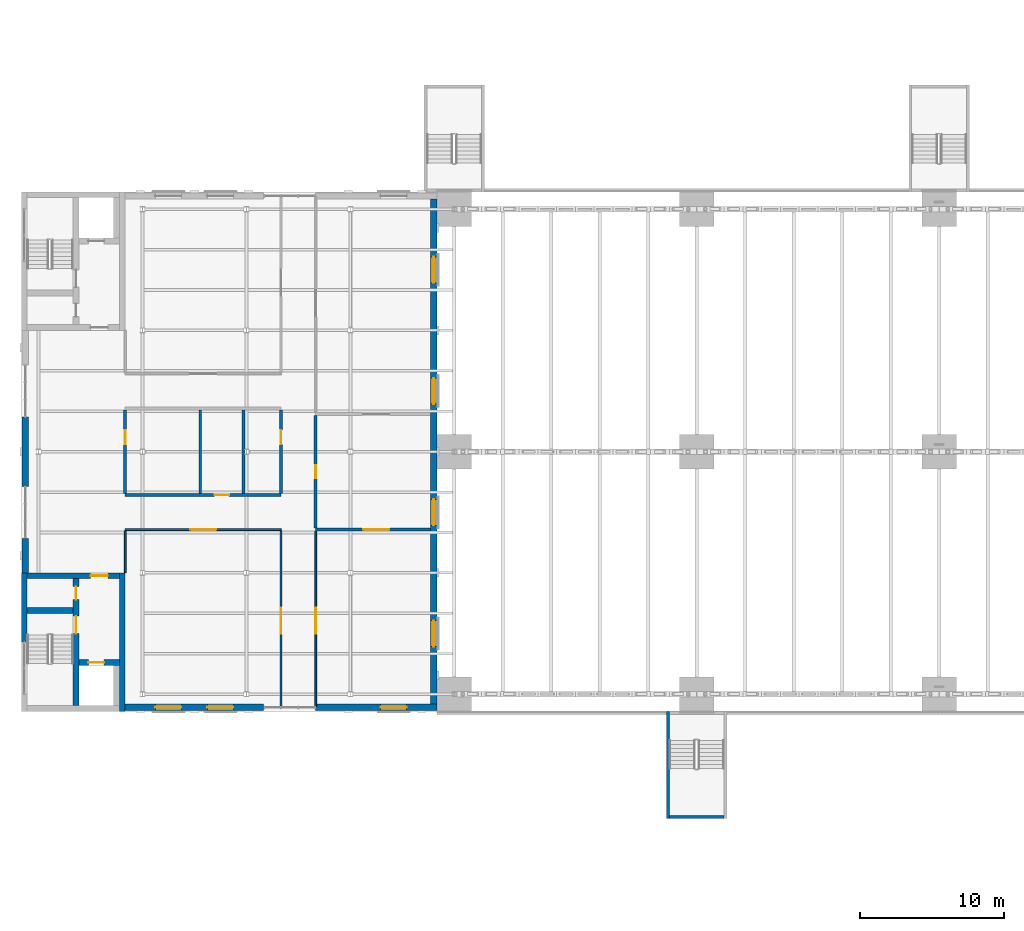
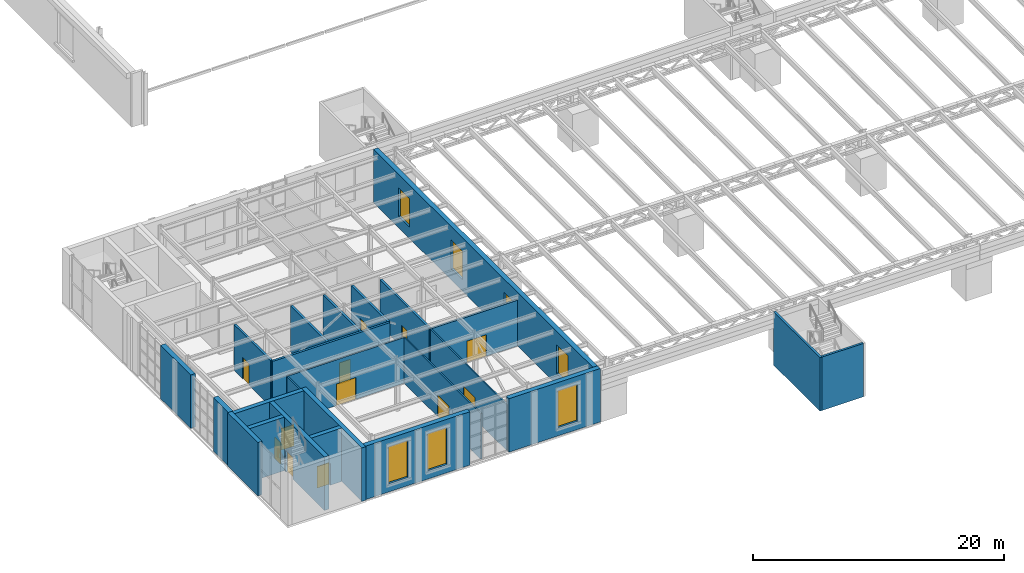
# One storey, part 54 of 93: 24 walls, 12 doors, 7 windows, 19 openings.
"""IFC4 building model written with IfcOpenShell, lengths in metres."""

from ifc_helpers import new_model, si_unit, direction, frame, frame_2d, origin, place, context, subcontext, project, spatial, rectangle, extrude, material, layer, layer_set, type_object, element, fill, save


model = new_model("IFC4")

# Units and contexts
model_context = context("Model", 3, precision=1e-05, world=origin(), true_north=direction((0.0, 1.0)))
body_context = subcontext(model_context, "Body", "Model", "MODEL_VIEW")
ifc_project = project(units=[si_unit("LENGTHUNIT", "METRE"), si_unit("AREAUNIT", "SQUARE_METRE"), si_unit("VOLUMEUNIT", "CUBIC_METRE"), si_unit("PLANEANGLEUNIT", "RADIAN"), si_unit("MASSUNIT", "GRAM", prefix="KILO")], contexts=[model_context])

# Site, building, storey
site_placement = place(None, origin())
site = spatial("IfcSite", under=ifc_project, at=site_placement, CompositionType="ELEMENT")
building_placement = place(site_placement, origin())
building = spatial("IfcBuilding", under=site, at=building_placement, Name="Verrick Yard Athletic Hall", CompositionType="ELEMENT")
storey_placement = place(building_placement, frame((0.0, 0.0, 8.800048828125)))
storey = spatial("IfcBuildingStorey", under=building, at=storey_placement, Name="L02", CompositionType="ELEMENT", Elevation=8.800048828125)

# Wall, openings, doors
ifc_material_1 = material(Name="Concrete 35 MPa", Category="concrete")
ifc_layer_1 = layer(ifc_material_1, 0.39990234375)
ifc_layer_set_1 = layer_set([ifc_layer_1], Name="Core wall CR400")
wall_type_1 = type_object("IfcWallType", Name="Core wall CR400", PredefinedType="SHEAR", material=ifc_layer_set_1)
wall_1_placement = place(storey_placement, frame((13.800048828125, 18.39990234375, 0.0), z_axis=(0.0, 0.0, 1.0), x_axis=(0.0, 1.0, 0.0)))
wall_1 = element("IfcWall", 1, at=wall_1_placement, inside=storey, type_object=wall_type_1, Name="CORE-CB1-WP-L02", PredefinedType="SHEAR", context=body_context, shape_type="SweptSolid", body=[
    extrude(rectangle(XDim=8.800048828125, YDim=0.39990234375, at=frame_2d((4.39990234375, 0.0))), origin(), (0.0, 0.0, 1.0), 5.199951171875),
])
opening_1_placement = place(wall_1_placement, frame((5.0, 0.0, 0.0)))
opening_1 = element("IfcOpeningElement", 2, at=opening_1_placement, cuts=wall_1, Name="Opening SD1", PredefinedType="OPENING", context=body_context, shape_type="SweptSolid", body=[
    extrude(rectangle(XDim=1.199951171875, YDim=2.10009765625, at=frame_2d((0.60009765625, 1.050048828125))), frame((0.0, 0.2099609375, 0.0), z_axis=(0.0, -1.0, 0.0), x_axis=(1.0, 0.0, 0.0)), (0.0, 0.0, 1.0), 0.419921875),
])
opening_2_placement = place(wall_1_placement, frame((7.35009765625, 0.0, 0.0)))
opening_2 = element("IfcOpeningElement", 3, at=opening_2_placement, cuts=wall_1, Name="Opening RD1", PredefinedType="OPENING", context=body_context, shape_type="SweptSolid", body=[
    extrude(rectangle(XDim=0.89990234375, YDim=2.10009765625, at=frame_2d((0.449951171875, 1.050048828125))), frame((0.0, 0.2099609375, 0.0), z_axis=(0.0, -1.0, 0.0), x_axis=(1.0, 0.0, 0.0)), (0.0, 0.0, 1.0), 0.419921875),
])
ifc_material_2 = material(Name="Hollow metal door leaf")
door_type_1 = type_object("IfcDoorType", Name="Core door RD1 900x2100", OperationType="NOTDEFINED", PredefinedType="DOOR", material=ifc_material_2)
door_1_placement = place(opening_2_placement, origin())
door_1 = element("IfcDoor", 4, at=door_1_placement, inside=storey, type_object=door_type_1, Name="CORE-CB1-WP-L02-DRD1-2620", OperationType="SINGLE_SWING_LEFT", OverallHeight=2.10009765625, OverallWidth=0.89990234375, PredefinedType="DOOR", context=body_context, shape_type="SweptSolid", body=[
    extrude(rectangle(XDim=0.89990234375, YDim=2.10009765625, at=frame_2d((0.449951171875, 1.050048828125))), frame((0.0, 0.02490234375, 0.0), z_axis=(0.0, -1.0, 0.0), x_axis=(1.0, 0.0, 0.0)), (0.0, 0.0, 1.0), 0.050048828125),
])
fill(opening_2, door_1)
door_type_2 = type_object("IfcDoorType", Name="Core door SD1 1200x2100", OperationType="NOTDEFINED", PredefinedType="DOOR", material=ifc_material_2)
door_2_placement = place(opening_1_placement, origin())
door_2 = element("IfcDoor", 5, at=door_2_placement, inside=storey, type_object=door_type_2, Name="CORE-CB1-WP-L02-DSD1-2400", OperationType="SINGLE_SWING_LEFT", OverallHeight=2.10009765625, OverallWidth=1.199951171875, PredefinedType="DOOR", context=body_context, shape_type="SweptSolid", body=[
    extrude(rectangle(XDim=1.199951171875, YDim=2.10009765625, at=frame_2d((0.60009765625, 1.050048828125))), frame((0.0, 0.02490234375, 0.0), z_axis=(0.0, -1.0, 0.0), x_axis=(1.0, 0.0, 0.0)), (0.0, 0.0, 1.0), 0.050048828125),
])
fill(opening_1, door_2)

# Wall
wall_2_placement = place(storey_placement, frame((10.39990234375, 25.0, 0.0), z_axis=(0.0, 0.0, 1.0), x_axis=(1.0, 0.0, 0.0)))
element("IfcWall", 6, at=wall_2_placement, inside=storey, type_object=wall_type_1, Name="CORE-CB1-WSN-L02", PredefinedType="SHEAR", context=body_context, shape_type="SweptSolid", body=[
    extrude(rectangle(XDim=3.2001953125, YDim=0.39990234375, at=frame_2d((1.60009765625, 0.0))), origin(), (0.0, 0.0, 1.0), 5.199951171875),
])

# Wall, opening, door
wall_3_placement = place(storey_placement, frame((14.0, 21.39990234375, 0.0), z_axis=(0.0, 0.0, 1.0), x_axis=(1.0, 0.0, 0.0)))
wall_3 = element("IfcWall", 7, at=wall_3_placement, inside=storey, type_object=wall_type_1, Name="CORE-CB1-WLN-L02", PredefinedType="SHEAR", context=body_context, shape_type="SweptSolid", body=[
    extrude(rectangle(XDim=2.800048828125, YDim=0.39990234375, at=frame_2d((1.39990234375, 0.0))), origin(), (0.0, 0.0, 1.0), 5.199951171875),
])
opening_3_placement = place(wall_3_placement, frame((0.64990234375, 0.0, 0.0)))
opening_3 = element("IfcOpeningElement", 8, at=opening_3_placement, cuts=wall_3, Name="Opening LD", PredefinedType="OPENING", context=body_context, shape_type="SweptSolid", body=[
    extrude(rectangle(XDim=1.10009765625, YDim=2.10009765625, at=frame_2d((0.550048828125, 1.050048828125))), frame((0.0, 0.2099609375, 0.0), z_axis=(0.0, -1.0, 0.0), x_axis=(1.0, 0.0, 0.0)), (0.0, 0.0, 1.0), 0.419921875),
])
ifc_material_3 = material(Name="Stainless steel landing door", Category="steel")
door_type_3 = type_object("IfcDoorType", Name="Lift landing door LD 1100x2100", OperationType="NOTDEFINED", PredefinedType="DOOR", material=ifc_material_3)
door_3_placement = place(opening_3_placement, origin())
door_3 = element("IfcDoor", 9, at=door_3_placement, inside=storey, type_object=door_type_3, Name="Lift landing door", OperationType="SLIDING_TO_LEFT", OverallHeight=2.10009765625, OverallWidth=1.10009765625, PredefinedType="DOOR", context=body_context, shape_type="SweptSolid", body=[
    extrude(rectangle(XDim=1.10009765625, YDim=2.10009765625, at=frame_2d((0.550048828125, 1.050048828125))), frame((0.0, 0.02490234375, 0.0), z_axis=(0.0, -1.0, 0.0), x_axis=(1.0, 0.0, 0.0)), (0.0, 0.0, 1.0), 0.050048828125),
])
fill(opening_3, door_3)

# Walls
ifc_layer_2 = layer(ifc_material_1, 0.39990234375)
ifc_layer_set_2 = layer_set([ifc_layer_2], Name="External core wall CR400")
wall_type_2 = type_object("IfcWallType", Name="External core wall CR400", PredefinedType="SHEAR", material=ifc_layer_set_2)
wall_4_placement = place(storey_placement, frame((10.199951171875, 22.800048828125, 0.0), z_axis=(0.0, 0.0, 1.0), x_axis=(0.0, 1.0, 0.0)))
element("IfcWall", 10, at=wall_4_placement, inside=storey, type_object=wall_type_2, Name="CORE-CB1-WW-L02-1", PredefinedType="SHEAR", context=body_context, shape_type="SweptSolid", body=[
    extrude(rectangle(XDim=4.800048828125, YDim=0.39990234375, at=frame_2d((2.39990234375, 0.0))), origin(), (0.0, 0.0, 1.0), 5.199951171875),
])
wall_5_placement = place(storey_placement, frame((17.0, 18.0, 0.0), z_axis=(0.0, 0.0, 1.0), x_axis=(0.0, 1.0, 0.0)))
element("IfcWall", 11, at=wall_5_placement, inside=storey, type_object=wall_type_2, Name="CORE-CB1-WE-L02", PredefinedType="SHEAR", context=body_context, shape_type="SweptSolid", body=[
    extrude(rectangle(XDim=9.60009765625, YDim=0.39990234375, at=frame_2d((4.800048828125, 0.0))), origin(), (0.0, 0.0, 1.0), 5.199951171875),
])

# Wall, opening, door
wall_6_placement = place(storey_placement, frame((10.39990234375, 27.39990234375, 0.0), z_axis=(0.0, 0.0, 1.0), x_axis=(1.0, 0.0, 0.0)))
wall_6 = element("IfcWall", 12, at=wall_6_placement, inside=storey, type_object=wall_type_2, Name="CORE-CB1-WN-L02", PredefinedType="SHEAR", context=body_context, shape_type="SweptSolid", body=[
    extrude(rectangle(XDim=6.400146484375, YDim=0.39990234375, at=frame_2d((3.2001953125, 0.0))), origin(), (0.0, 0.0, 1.0), 5.199951171875),
])
opening_4_placement = place(wall_6_placement, frame((4.39990234375, 0.0, 0.0)))
opening_4 = element("IfcOpeningElement", 13, at=opening_4_placement, cuts=wall_6, Name="Opening LB1", PredefinedType="OPENING", context=body_context, shape_type="SweptSolid", body=[
    extrude(rectangle(XDim=1.199951171875, YDim=2.10009765625, at=frame_2d((0.60009765625, 1.050048828125))), frame((0.0, 0.2099609375, 0.0), z_axis=(0.0, -1.0, 0.0), x_axis=(1.0, 0.0, 0.0)), (0.0, 0.0, 1.0), 0.419921875),
])
door_type_4 = type_object("IfcDoorType", Name="Core door LB1 1200x2100", OperationType="NOTDEFINED", PredefinedType="DOOR", material=ifc_material_2)
door_4_placement = place(opening_4_placement, origin())
door_4 = element("IfcDoor", 14, at=door_4_placement, inside=storey, type_object=door_type_4, Name="CORE-CB1-WN-L02-DLB1-1540", OperationType="SINGLE_SWING_LEFT", OverallHeight=2.10009765625, OverallWidth=1.199951171875, PredefinedType="DOOR", context=body_context, shape_type="SweptSolid", body=[
    extrude(rectangle(XDim=1.199951171875, YDim=2.10009765625, at=frame_2d((0.60009765625, 1.050048828125))), frame((0.0, 0.02490234375, 0.0), z_axis=(0.0, -1.0, 0.0), x_axis=(1.0, 0.0, 0.0)), (0.0, 0.0, 1.0), 0.050048828125),
])
fill(opening_4, door_4)

# Walls
ifc_layer_3 = layer(ifc_material_1, 0.199951171875)
ifc_layer_set_3 = layer_set([ifc_layer_3], Name="External enclosure wall CR200")
wall_type_3 = type_object("IfcWallType", Name="External enclosure wall CR200", PredefinedType="SOLIDWALL", material=ifc_layer_set_3)
wall_7_placement = place(storey_placement, frame((54.800048828125, 10.60009765625, 0.0), z_axis=(0.0, 0.0, 1.0), x_axis=(0.0, 1.0, 0.0)))
element("IfcWall", 15, at=wall_7_placement, inside=storey, type_object=wall_type_3, Name="CORE-DT-S1-WW-L02", PredefinedType="SOLIDWALL", context=body_context, shape_type="SweptSolid", body=[
    extrude(rectangle(XDim=7.39990234375, YDim=0.199951171875, at=frame_2d((3.699951171875, 0.0))), origin(), (0.0, 0.0, 1.0), 5.199951171875),
])
wall_8_placement = place(storey_placement, frame((54.89990234375, 10.699951171875, 0.0), z_axis=(0.0, 0.0, 1.0), x_axis=(1.0, 0.0, 0.0)))
element("IfcWall", 16, at=wall_8_placement, inside=storey, type_object=wall_type_3, Name="CORE-DT-S1-WS-L02", PredefinedType="SOLIDWALL", context=body_context, shape_type="SweptSolid", body=[
    extrude(rectangle(XDim=3.800048828125, YDim=0.199951171875, at=frame_2d((1.89990234375, 0.0))), origin(), (0.0, 0.0, 1.0), 5.199951171875),
])

# Wall, opening, door
ifc_material_4 = material(Name="Concrete masonry block 15 MPa", Category="masonry")
ifc_layer_4 = layer(ifc_material_4, 0.199951171875)
ifc_layer_set_4 = layer_set([ifc_layer_4], Name="PW1 Block partition 200")
wall_type_4 = type_object("IfcWallType", Name="PW1 Block partition 200", PredefinedType="PARTITIONING", material=ifc_layer_set_4)
wall_9_placement = place(storey_placement, frame((30.39990234375, 30.60009765625, 0.0), z_axis=(0.0, 0.0, 1.0), x_axis=(1.0, 0.0, 0.0)))
wall_9 = element("IfcWall", 17, at=wall_9_placement, inside=storey, type_object=wall_type_4, Name="Partition PW1", PredefinedType="PARTITIONING", context=body_context, shape_type="SweptSolid", body=[
    extrude(rectangle(XDim=7.97265625, YDim=0.199951171875, at=frame_2d((3.986328125, 0.0))), origin(), (0.0, 0.0, 1.0), 4.449951171875),
])
opening_5_placement = place(wall_9_placement, frame((3.300048828125, 0.0, 0.0)))
opening_5 = element("IfcOpeningElement", 18, at=opening_5_placement, cuts=wall_9, Name="Opening D3", PredefinedType="OPENING", context=body_context, shape_type="SweptSolid", body=[
    extrude(rectangle(XDim=1.800048828125, YDim=2.10009765625, at=frame_2d((0.89990234375, 1.050048828125))), frame((0.0, 0.10986328125, 0.0), z_axis=(0.0, -1.0, 0.0), x_axis=(1.0, 0.0, 0.0)), (0.0, 0.0, 1.0), 0.219970703125),
])
ifc_material_5 = material(Name="Timber door leaf in steel frame", Category="steel")
door_type_5 = type_object("IfcDoorType", Name="D3 Double door 1800 x 2100", OperationType="NOTDEFINED", PredefinedType="DOOR", material=ifc_material_5)
door_5_placement = place(opening_5_placement, origin())
door_5 = element("IfcDoor", 19, at=door_5_placement, inside=storey, type_object=door_type_5, Name="D3 Fitness Studio", OperationType="DOUBLE_DOOR_SINGLE_SWING", OverallHeight=2.10009765625, OverallWidth=1.800048828125, PredefinedType="DOOR", context=body_context, shape_type="SweptSolid", body=[
    extrude(rectangle(XDim=1.800048828125, YDim=2.10009765625, at=frame_2d((0.89990234375, 1.050048828125))), frame((0.0, 0.02490234375, 0.0), z_axis=(0.0, -1.0, 0.0), x_axis=(1.0, 0.0, 0.0)), (0.0, 0.0, 1.0), 0.050048828125),
])
fill(opening_5, door_5)

wall_10_placement = place(storey_placement, frame((17.199951171875, 33.0, 0.0), z_axis=(0.0, 0.0, 1.0), x_axis=(1.0, 0.0, 0.0)))
wall_10 = element("IfcWall", 20, at=wall_10_placement, inside=storey, type_object=wall_type_4, Name="Partition PW1", PredefinedType="PARTITIONING", context=body_context, shape_type="SweptSolid", body=[
    extrude(rectangle(XDim=10.800048828125, YDim=0.199951171875, at=frame_2d((5.39990234375, 0.0))), origin(), (0.0, 0.0, 1.0), 4.449951171875),
])
opening_6_placement = place(wall_10_placement, frame((6.199951171875, 0.0, 0.0)))
opening_6 = element("IfcOpeningElement", 21, at=opening_6_placement, cuts=wall_10, Name="Opening D1", PredefinedType="OPENING", context=body_context, shape_type="SweptSolid", body=[
    extrude(rectangle(XDim=1.0, YDim=2.10009765625, at=frame_2d((0.5, 1.050048828125))), frame((0.0, 0.10986328125, 0.0), z_axis=(0.0, -1.0, 0.0), x_axis=(1.0, 0.0, 0.0)), (0.0, 0.0, 1.0), 0.219970703125),
])
door_type_6 = type_object("IfcDoorType", Name="D1 Single door 1000 x 2100", OperationType="NOTDEFINED", PredefinedType="DOOR", material=ifc_material_5)
door_6_placement = place(opening_6_placement, origin())
door_6 = element("IfcDoor", 22, at=door_6_placement, inside=storey, type_object=door_type_6, Name="D1 Accessible WC", OperationType="SINGLE_SWING_LEFT", OverallHeight=2.10009765625, OverallWidth=1.0, PredefinedType="DOOR", context=body_context, shape_type="SweptSolid", body=[
    extrude(rectangle(XDim=1.0, YDim=2.10009765625, at=frame_2d((0.5, 1.050048828125))), frame((0.0, 0.02490234375, 0.0), z_axis=(0.0, -1.0, 0.0), x_axis=(1.0, 0.0, 0.0)), (0.0, 0.0, 1.0), 0.050048828125),
])
fill(opening_6, door_6)

wall_11_placement = place(storey_placement, frame((17.199951171875, 33.10009765625, 0.0), z_axis=(0.0, 0.0, 1.0), x_axis=(0.0, 1.0, 0.0)))
wall_11 = element("IfcWall", 23, at=wall_11_placement, inside=storey, type_object=wall_type_4, Name="Partition PW1", PredefinedType="PARTITIONING", context=body_context, shape_type="SweptSolid", body=[
    extrude(rectangle(XDim=5.7998046875, YDim=0.199951171875, at=frame_2d((2.89990234375, 0.0))), origin(), (0.0, 0.0, 1.0), 4.449951171875),
])
opening_7_placement = place(wall_11_placement, frame((3.39990234375, 0.0, 0.0)))
opening_7 = element("IfcOpeningElement", 24, at=opening_7_placement, cuts=wall_11, Name="Opening D1", PredefinedType="OPENING", context=body_context, shape_type="SweptSolid", body=[
    extrude(rectangle(XDim=1.0, YDim=2.10009765625, at=frame_2d((0.5, 1.050048828125))), frame((0.0, 0.10986328125, 0.0), z_axis=(0.0, -1.0, 0.0), x_axis=(1.0, 0.0, 0.0)), (0.0, 0.0, 1.0), 0.219970703125),
])
door_7_placement = place(opening_7_placement, origin())
door_7 = element("IfcDoor", 25, at=door_7_placement, inside=storey, type_object=door_type_6, Name="D1 WC Women", OperationType="SINGLE_SWING_RIGHT", OverallHeight=2.10009765625, OverallWidth=1.0, PredefinedType="DOOR", context=body_context, shape_type="SweptSolid", body=[
    extrude(rectangle(XDim=1.0, YDim=2.10009765625, at=frame_2d((0.5, 1.050048828125))), frame((0.0, 0.02490234375, 0.0), z_axis=(0.0, -1.0, 0.0), x_axis=(1.0, 0.0, 0.0)), (0.0, 0.0, 1.0), 0.050048828125),
])
fill(opening_7, door_7)

# Walls
for number, where, z_axis, x_axis, name in (
    (26, (22.39990234375, 33.10009765625, 0.0), (0.0, 0.0, 1.0), (0.0, 1.0, 0.0), "Partition PW1"),
    (27, (25.39990234375, 33.10009765625, 0.0), (0.0, 0.0, 1.0), (0.0, 1.0, 0.0), "Partition PW1"),
):
    element("IfcWall", number, at=place(storey_placement, frame(where, z_axis=z_axis, x_axis=x_axis)), inside=storey, type_object=wall_type_4, Name=name, PredefinedType="PARTITIONING", context=body_context, shape_type="SweptSolid", body=[
        extrude(rectangle(XDim=5.7998046875, YDim=0.199951171875, at=frame_2d((2.89990234375, 0.0))), origin(), (0.0, 0.0, 1.0), 4.449951171875),
    ])

# Wall, opening, door
wall_12_placement = place(storey_placement, frame((28.0, 33.10009765625, 0.0), z_axis=(0.0, 0.0, 1.0), x_axis=(0.0, 1.0, 0.0)))
wall_12 = element("IfcWall", 28, at=wall_12_placement, inside=storey, type_object=wall_type_4, Name="Partition PW1", PredefinedType="PARTITIONING", context=body_context, shape_type="SweptSolid", body=[
    extrude(rectangle(XDim=5.7998046875, YDim=0.199951171875, at=frame_2d((2.89990234375, 0.0))), origin(), (0.0, 0.0, 1.0), 4.449951171875),
])
opening_8_placement = place(wall_12_placement, frame((3.39990234375, 0.0, 0.0)))
opening_8 = element("IfcOpeningElement", 29, at=opening_8_placement, cuts=wall_12, Name="Opening D1", PredefinedType="OPENING", context=body_context, shape_type="SweptSolid", body=[
    extrude(rectangle(XDim=1.0, YDim=2.10009765625, at=frame_2d((0.5, 1.050048828125))), frame((0.0, 0.10986328125, 0.0), z_axis=(0.0, -1.0, 0.0), x_axis=(1.0, 0.0, 0.0)), (0.0, 0.0, 1.0), 0.219970703125),
])
door_8_placement = place(opening_8_placement, origin())
door_8 = element("IfcDoor", 30, at=door_8_placement, inside=storey, type_object=door_type_6, Name="D1 WC Men", OperationType="SINGLE_SWING_RIGHT", OverallHeight=2.10009765625, OverallWidth=1.0, PredefinedType="DOOR", context=body_context, shape_type="SweptSolid", body=[
    extrude(rectangle(XDim=1.0, YDim=2.10009765625, at=frame_2d((0.5, 1.050048828125))), frame((0.0, 0.02490234375, 0.0), z_axis=(0.0, -1.0, 0.0), x_axis=(1.0, 0.0, 0.0)), (0.0, 0.0, 1.0), 0.050048828125),
])
fill(opening_8, door_8)

wall_13_placement = place(storey_placement, frame((30.39990234375, 30.699951171875, 0.0), z_axis=(0.0, 0.0, 1.0), x_axis=(0.0, 1.0, 0.0)))
wall_13 = element("IfcWall", 31, at=wall_13_placement, inside=storey, type_object=wall_type_4, Name="Partition PW1", PredefinedType="PARTITIONING", context=body_context, shape_type="SweptSolid", body=[
    extrude(rectangle(XDim=7.800048828125, YDim=0.199951171875, at=frame_2d((3.89990234375, 0.0))), origin(), (0.0, 0.0, 1.0), 4.449951171875),
])
opening_9_placement = place(wall_13_placement, frame((3.449951171875, 0.0, 0.0)))
opening_9 = element("IfcOpeningElement", 32, at=opening_9_placement, cuts=wall_13, Name="Opening D2", PredefinedType="OPENING", context=body_context, shape_type="SweptSolid", body=[
    extrude(rectangle(XDim=0.89990234375, YDim=2.10009765625, at=frame_2d((0.449951171875, 1.050048828125))), frame((0.0, 0.10986328125, 0.0), z_axis=(0.0, -1.0, 0.0), x_axis=(1.0, 0.0, 0.0)), (0.0, 0.0, 1.0), 0.219970703125),
])
door_type_7 = type_object("IfcDoorType", Name="D2 Single door 900 x 2100", OperationType="NOTDEFINED", PredefinedType="DOOR", material=ifc_material_5)
door_9_placement = place(opening_9_placement, origin())
door_9 = element("IfcDoor", 33, at=door_9_placement, inside=storey, type_object=door_type_7, Name="D2 Mat Store", OperationType="SINGLE_SWING_LEFT", OverallHeight=2.10009765625, OverallWidth=0.89990234375, PredefinedType="DOOR", context=body_context, shape_type="SweptSolid", body=[
    extrude(rectangle(XDim=0.89990234375, YDim=2.10009765625, at=frame_2d((0.449951171875, 1.050048828125))), frame((0.0, 0.02490234375, 0.0), z_axis=(0.0, -1.0, 0.0), x_axis=(1.0, 0.0, 0.0)), (0.0, 0.0, 1.0), 0.050048828125),
])
fill(opening_9, door_9)

ifc_material_6 = material(Name="Gypsum plasterboard on light-gauge studs")
ifc_layer_5 = layer(ifc_material_6, 0.125)
ifc_layer_set_5 = layer_set([ifc_layer_5], Name="PW2 Stud partition 125")
wall_type_5 = type_object("IfcWallType", Name="PW2 Stud partition 125", PredefinedType="PARTITIONING", material=ifc_layer_set_5)
wall_14_placement = place(storey_placement, frame((17.199951171875, 30.60009765625, 0.0), z_axis=(0.0, 0.0, 1.0), x_axis=(1.0, 0.0, 0.0)))
wall_14 = element("IfcWall", 34, at=wall_14_placement, inside=storey, type_object=wall_type_5, Name="Partition PW2", PredefinedType="PARTITIONING", context=body_context, shape_type="SweptSolid", body=[
    extrude(rectangle(XDim=10.800048828125, YDim=0.125, at=frame_2d((5.39990234375, 0.0))), origin(), (0.0, 0.0, 1.0), 4.449951171875),
])
opening_10_placement = place(wall_14_placement, frame((4.5, 0.0, 0.0)))
opening_10 = element("IfcOpeningElement", 35, at=opening_10_placement, cuts=wall_14, Name="Opening D3", PredefinedType="OPENING", context=body_context, shape_type="SweptSolid", body=[
    extrude(rectangle(XDim=1.800048828125, YDim=2.10009765625, at=frame_2d((0.89990234375, 1.050048828125))), frame((0.0, 0.072509765625, 0.0), z_axis=(0.0, -1.0, 0.0), x_axis=(1.0, 0.0, 0.0)), (0.0, 0.0, 1.0), 0.14501953125),
])
door_10_placement = place(opening_10_placement, origin())
door_10 = element("IfcDoor", 36, at=door_10_placement, inside=storey, type_object=door_type_5, Name="D3 Dance Studio 1", OperationType="DOUBLE_DOOR_SINGLE_SWING", OverallHeight=2.10009765625, OverallWidth=1.800048828125, PredefinedType="DOOR", context=body_context, shape_type="SweptSolid", body=[
    extrude(rectangle(XDim=1.800048828125, YDim=2.10009765625, at=frame_2d((0.89990234375, 1.050048828125))), frame((0.0, 0.02490234375, 0.0), z_axis=(0.0, -1.0, 0.0), x_axis=(1.0, 0.0, 0.0)), (0.0, 0.0, 1.0), 0.050048828125),
])
fill(opening_10, door_10)

# Wall
wall_15_placement = place(storey_placement, frame((17.199951171875, 27.60009765625, 0.0), z_axis=(0.0, 0.0, 1.0), x_axis=(0.0, 1.0, 0.0)))
element("IfcWall", 37, at=wall_15_placement, inside=storey, type_object=wall_type_5, Name="Partition PW2", PredefinedType="PARTITIONING", context=body_context, shape_type="SweptSolid", body=[
    extrude(rectangle(XDim=2.9375, YDim=0.125, at=frame_2d((1.46875, 0.0))), origin(), (0.0, 0.0, 1.0), 4.449951171875),
])

# Wall, opening, door
wall_16_placement = place(storey_placement, frame((28.0, 18.351318359375, 0.0), z_axis=(0.0, 0.0, 1.0), x_axis=(0.0, 1.0, 0.0)))
wall_16 = element("IfcWall", 38, at=wall_16_placement, inside=storey, type_object=wall_type_5, Name="Partition PW2", PredefinedType="PARTITIONING", context=body_context, shape_type="SweptSolid", body=[
    extrude(rectangle(XDim=12.186279296875, YDim=0.125, at=frame_2d((6.09326171875, 0.0))), origin(), (0.0, 0.0, 1.0), 4.449951171875),
])
opening_11_placement = place(wall_16_placement, frame((5.049072265625, 0.0, 0.0)))
opening_11 = element("IfcOpeningElement", 39, at=opening_11_placement, cuts=wall_16, Name="Opening D3", PredefinedType="OPENING", context=body_context, shape_type="SweptSolid", body=[
    extrude(rectangle(XDim=1.800048828125, YDim=2.10009765625, at=frame_2d((0.89990234375, 1.050048828125))), frame((0.0, 0.072509765625, 0.0), z_axis=(0.0, -1.0, 0.0), x_axis=(1.0, 0.0, 0.0)), (0.0, 0.0, 1.0), 0.14501953125),
])
door_11_placement = place(opening_11_placement, origin())
door_11 = element("IfcDoor", 40, at=door_11_placement, inside=storey, type_object=door_type_5, Name="D3 Dance Studio 1", OperationType="DOUBLE_DOOR_SINGLE_SWING", OverallHeight=2.10009765625, OverallWidth=1.800048828125, PredefinedType="DOOR", context=body_context, shape_type="SweptSolid", body=[
    extrude(rectangle(XDim=1.800048828125, YDim=2.10009765625, at=frame_2d((0.89990234375, 1.050048828125))), frame((0.0, 0.02490234375, 0.0), z_axis=(0.0, -1.0, 0.0), x_axis=(1.0, 0.0, 0.0)), (0.0, 0.0, 1.0), 0.050048828125),
])
fill(opening_11, door_11)

wall_17_placement = place(storey_placement, frame((30.39990234375, 18.351318359375, 0.0), z_axis=(0.0, 0.0, 1.0), x_axis=(0.0, 1.0, 0.0)))
wall_17 = element("IfcWall", 41, at=wall_17_placement, inside=storey, type_object=wall_type_5, Name="Partition PW2", PredefinedType="PARTITIONING", context=body_context, shape_type="SweptSolid", body=[
    extrude(rectangle(XDim=12.148681640625, YDim=0.125, at=frame_2d((6.07421875, 0.0))), origin(), (0.0, 0.0, 1.0), 4.449951171875),
])
opening_12_placement = place(wall_17_placement, frame((5.049072265625, 0.0, 0.0)))
opening_12 = element("IfcOpeningElement", 42, at=opening_12_placement, cuts=wall_17, Name="Opening D3", PredefinedType="OPENING", context=body_context, shape_type="SweptSolid", body=[
    extrude(rectangle(XDim=1.800048828125, YDim=2.10009765625, at=frame_2d((0.89990234375, 1.050048828125))), frame((0.0, 0.072509765625, 0.0), z_axis=(0.0, -1.0, 0.0), x_axis=(1.0, 0.0, 0.0)), (0.0, 0.0, 1.0), 0.14501953125),
])
door_12_placement = place(opening_12_placement, origin())
door_12 = element("IfcDoor", 43, at=door_12_placement, inside=storey, type_object=door_type_5, Name="D3 Fitness Studio", OperationType="DOUBLE_DOOR_SINGLE_SWING", OverallHeight=2.10009765625, OverallWidth=1.800048828125, PredefinedType="DOOR", context=body_context, shape_type="SweptSolid", body=[
    extrude(rectangle(XDim=1.800048828125, YDim=2.10009765625, at=frame_2d((0.89990234375, 1.050048828125))), frame((0.0, 0.02490234375, 0.0), z_axis=(0.0, -1.0, 0.0), x_axis=(1.0, 0.0, 0.0)), (0.0, 0.0, 1.0), 0.050048828125),
])
fill(opening_12, door_12)

# Wall, openings, windows
ifc_material_7 = material(Name="Clay face brick, red-brown", Category="masonry")
ifc_layer_6 = layer(ifc_material_7, 0.0625, Name="Clay face brick, red-brown")
ifc_material_8 = material(Name="Mineral wool insulation")
ifc_layer_7 = layer(ifc_material_8, 0.125, Name="Mineral wool insulation")
ifc_layer_8 = layer(ifc_material_1, 0.25, Name="Concrete 35 MPa")
ifc_layer_set_6 = layer_set([ifc_layer_6, ifc_layer_7, ifc_layer_8], Name="Wing upper wall")
wall_type_6 = type_object("IfcWallType", Name="Wing upper wall", PredefinedType="SOLIDWALL", material=ifc_layer_set_6)
wall_18_placement = place(storey_placement, frame((17.199951171875, 18.28125, 0.0), z_axis=(0.0, 0.0, 1.0), x_axis=(1.0, 0.0, 0.0)))
wall_18 = element("IfcWall", 44, at=wall_18_placement, inside=storey, type_object=wall_type_6, Name="ENVB-WS-L02-1", PredefinedType="SOLIDWALL", context=body_context, shape_type="SweptSolid", body=[
    extrude(rectangle(XDim=9.60009765625, YDim=0.4375, at=frame_2d((4.800048828125, 0.0))), origin(), (0.0, 0.0, 1.0), 5.199951171875),
])
opening_13_placement = place(wall_18_placement, frame((2.10009765625, 0.0, 0.800048828125)))
opening_13 = element("IfcOpeningElement", 45, at=opening_13_placement, cuts=wall_18, Name="Opening W23", PredefinedType="OPENING", context=body_context, shape_type="SweptSolid", body=[
    extrude(rectangle(XDim=1.800048828125, YDim=3.60009765625, at=frame_2d((0.89990234375, 1.800048828125))), frame((0.0, 0.228759765625, 0.0), z_axis=(0.0, -1.0, 0.0), x_axis=(1.0, 0.0, 0.0)), (0.0, 0.0, 1.0), 0.45751953125),
])
opening_14_placement = place(wall_18_placement, frame((5.699951171875, 0.0, 0.800048828125)))
opening_14 = element("IfcOpeningElement", 46, at=opening_14_placement, cuts=wall_18, Name="Opening W23", PredefinedType="OPENING", context=body_context, shape_type="SweptSolid", body=[
    extrude(rectangle(XDim=1.800048828125, YDim=3.60009765625, at=frame_2d((0.89990234375, 1.800048828125))), frame((0.0, 0.228759765625, 0.0), z_axis=(0.0, -1.0, 0.0), x_axis=(1.0, 0.0, 0.0)), (0.0, 0.0, 1.0), 0.45751953125),
])
ifc_material_9 = material(Name="Anodised aluminium frame with insulated glazing", Category="aluminium")
window_type_1 = type_object("IfcWindowType", Name="Wing window 1800x3600", PartitioningType="NOTDEFINED", PredefinedType="WINDOW", material=ifc_material_9)
window_1_placement = place(opening_13_placement, origin())
window_1 = element("IfcWindow", 47, at=window_1_placement, inside=storey, type_object=window_type_1, Name="ENVB-WS-L02-1-W202", OverallHeight=3.60009765625, OverallWidth=1.800048828125, PartitioningType="SINGLE_PANEL", PredefinedType="WINDOW", context=body_context, shape_type="SweptSolid", body=[
    extrude(rectangle(XDim=1.800048828125, YDim=3.60009765625, at=frame_2d((0.89990234375, 1.800048828125))), frame((0.0, 0.030029296875, 0.0), z_axis=(0.0, -1.0, 0.0), x_axis=(1.0, 0.0, 0.0)), (0.0, 0.0, 1.0), 0.06005859375),
])
fill(opening_13, window_1)
window_2_placement = place(opening_14_placement, origin())
window_2 = element("IfcWindow", 48, at=window_2_placement, inside=storey, type_object=window_type_1, Name="ENVB-WS-L02-1-W238", OverallHeight=3.60009765625, OverallWidth=1.800048828125, PartitioningType="SINGLE_PANEL", PredefinedType="WINDOW", context=body_context, shape_type="SweptSolid", body=[
    extrude(rectangle(XDim=1.800048828125, YDim=3.60009765625, at=frame_2d((0.89990234375, 1.800048828125))), frame((0.0, 0.030029296875, 0.0), z_axis=(0.0, -1.0, 0.0), x_axis=(1.0, 0.0, 0.0)), (0.0, 0.0, 1.0), 0.06005859375),
])
fill(opening_14, window_2)

# Wall, opening, window
wall_19_placement = place(storey_placement, frame((30.39990234375, 18.28125, 0.0), z_axis=(0.0, 0.0, 1.0), x_axis=(1.0, 0.0, 0.0)))
wall_19 = element("IfcWall", 49, at=wall_19_placement, inside=storey, type_object=wall_type_6, Name="ENVB-WS-L02-2", PredefinedType="SOLIDWALL", context=body_context, shape_type="SweptSolid", body=[
    extrude(rectangle(XDim=8.400146484375, YDim=0.4375, at=frame_2d((4.2001953125, 0.0))), origin(), (0.0, 0.0, 1.0), 5.199951171875),
])
opening_15_placement = place(wall_19_placement, frame((4.5, 0.0, 0.800048828125)))
opening_15 = element("IfcOpeningElement", 50, at=opening_15_placement, cuts=wall_19, Name="Opening W23", PredefinedType="OPENING", context=body_context, shape_type="SweptSolid", body=[
    extrude(rectangle(XDim=1.800048828125, YDim=3.60009765625, at=frame_2d((0.89990234375, 1.800048828125))), frame((0.0, 0.228759765625, 0.0), z_axis=(0.0, -1.0, 0.0), x_axis=(1.0, 0.0, 0.0)), (0.0, 0.0, 1.0), 0.45751953125),
])
window_3_placement = place(opening_15_placement, origin())
window_3 = element("IfcWindow", 51, at=window_3_placement, inside=storey, type_object=window_type_1, Name="ENVB-WS-L02-2-W358", OverallHeight=3.60009765625, OverallWidth=1.800048828125, PartitioningType="SINGLE_PANEL", PredefinedType="WINDOW", context=body_context, shape_type="SweptSolid", body=[
    extrude(rectangle(XDim=1.800048828125, YDim=3.60009765625, at=frame_2d((0.89990234375, 1.800048828125))), frame((0.0, 0.030029296875, 0.0), z_axis=(0.0, -1.0, 0.0), x_axis=(1.0, 0.0, 0.0)), (0.0, 0.0, 1.0), 0.06005859375),
])
fill(opening_15, window_3)

# Walls
wall_20_placement = place(storey_placement, frame((10.28125, 27.60009765625, 0.0), z_axis=(0.0, 0.0, 1.0), x_axis=(0.0, 1.0, 0.0)))
element("IfcWall", 52, at=wall_20_placement, inside=storey, type_object=wall_type_6, Name="ENVB-WW-L02-1", PredefinedType="SOLIDWALL", context=body_context, shape_type="SweptSolid", body=[
    extrude(rectangle(XDim=2.39990234375, YDim=0.4375, at=frame_2d((1.199951171875, 0.0))), origin(), (0.0, 0.0, 1.0), 5.199951171875),
])
wall_21_placement = place(storey_placement, frame((10.28125, 33.60009765625, 0.0), z_axis=(0.0, 0.0, 1.0), x_axis=(0.0, 1.0, 0.0)))
element("IfcWall", 53, at=wall_21_placement, inside=storey, type_object=wall_type_6, Name="ENVB-WW-L02-2", PredefinedType="SOLIDWALL", context=body_context, shape_type="SweptSolid", body=[
    extrude(rectangle(XDim=4.7998046875, YDim=0.4375, at=frame_2d((2.39990234375, 0.0))), origin(), (0.0, 0.0, 1.0), 5.199951171875),
])

# Wall, openings, windows
wall_22_placement = place(storey_placement, frame((38.581298828125, 18.5, 0.0), z_axis=(0.0, 0.0, 1.0), x_axis=(0.0, 1.0, 0.0)))
wall_22 = element("IfcWall", 54, at=wall_22_placement, inside=storey, type_object=wall_type_6, Name="ENVB-WE-L02-1", PredefinedType="SOLIDWALL", context=body_context, shape_type="SweptSolid", body=[
    extrude(rectangle(XDim=35.0, YDim=0.4375, at=frame_2d((17.5, 0.0))), origin(), (0.0, 0.0, 1.0), 5.199951171875),
])
opening_16_placement = place(wall_22_placement, frame((4.0, 0.0, 1.10009765625)))
opening_16 = element("IfcOpeningElement", 55, at=opening_16_placement, cuts=wall_22, Name="Opening W22", PredefinedType="OPENING", context=body_context, shape_type="SweptSolid", body=[
    extrude(rectangle(XDim=1.800048828125, YDim=2.800048828125, at=frame_2d((0.89990234375, 1.39990234375))), frame((0.0, 0.228759765625, 0.0), z_axis=(0.0, -1.0, 0.0), x_axis=(1.0, 0.0, 0.0)), (0.0, 0.0, 1.0), 0.45751953125),
])
opening_17_placement = place(wall_22_placement, frame((12.39990234375, 0.0, 1.10009765625)))
opening_17 = element("IfcOpeningElement", 56, at=opening_17_placement, cuts=wall_22, Name="Opening W22", PredefinedType="OPENING", context=body_context, shape_type="SweptSolid", body=[
    extrude(rectangle(XDim=1.800048828125, YDim=2.800048828125, at=frame_2d((0.89990234375, 1.39990234375))), frame((0.0, 0.228759765625, 0.0), z_axis=(0.0, -1.0, 0.0), x_axis=(1.0, 0.0, 0.0)), (0.0, 0.0, 1.0), 0.45751953125),
])
opening_18_placement = place(wall_22_placement, frame((20.800048828125, 0.0, 1.10009765625)))
opening_18 = element("IfcOpeningElement", 57, at=opening_18_placement, cuts=wall_22, Name="Opening W22", PredefinedType="OPENING", context=body_context, shape_type="SweptSolid", body=[
    extrude(rectangle(XDim=1.800048828125, YDim=2.800048828125, at=frame_2d((0.89990234375, 1.39990234375))), frame((0.0, 0.228759765625, 0.0), z_axis=(0.0, -1.0, 0.0), x_axis=(1.0, 0.0, 0.0)), (0.0, 0.0, 1.0), 0.45751953125),
])
opening_19_placement = place(wall_22_placement, frame((29.199951171875, 0.0, 1.10009765625)))
opening_19 = element("IfcOpeningElement", 58, at=opening_19_placement, cuts=wall_22, Name="Opening W22", PredefinedType="OPENING", context=body_context, shape_type="SweptSolid", body=[
    extrude(rectangle(XDim=1.800048828125, YDim=2.800048828125, at=frame_2d((0.89990234375, 1.39990234375))), frame((0.0, 0.228759765625, 0.0), z_axis=(0.0, -1.0, 0.0), x_axis=(1.0, 0.0, 0.0)), (0.0, 0.0, 1.0), 0.45751953125),
])
window_type_2 = type_object("IfcWindowType", Name="Wing window 1800x2800", PartitioningType="NOTDEFINED", PredefinedType="WINDOW", material=ifc_material_9)
window_4_placement = place(opening_16_placement, origin())
window_4 = element("IfcWindow", 59, at=window_4_placement, inside=storey, type_object=window_type_2, Name="ENVB-WE-L02-1-W234", OverallHeight=2.800048828125, OverallWidth=1.800048828125, PartitioningType="SINGLE_PANEL", PredefinedType="WINDOW", context=body_context, shape_type="SweptSolid", body=[
    extrude(rectangle(XDim=1.800048828125, YDim=2.800048828125, at=frame_2d((0.89990234375, 1.39990234375))), frame((0.0, 0.030029296875, 0.0), z_axis=(0.0, -1.0, 0.0), x_axis=(1.0, 0.0, 0.0)), (0.0, 0.0, 1.0), 0.06005859375),
])
fill(opening_16, window_4)
window_5_placement = place(opening_17_placement, origin())
window_5 = element("IfcWindow", 60, at=window_5_placement, inside=storey, type_object=window_type_2, Name="ENVB-WE-L02-1-W318", OverallHeight=2.800048828125, OverallWidth=1.800048828125, PartitioningType="SINGLE_PANEL", PredefinedType="WINDOW", context=body_context, shape_type="SweptSolid", body=[
    extrude(rectangle(XDim=1.800048828125, YDim=2.800048828125, at=frame_2d((0.89990234375, 1.39990234375))), frame((0.0, 0.030029296875, 0.0), z_axis=(0.0, -1.0, 0.0), x_axis=(1.0, 0.0, 0.0)), (0.0, 0.0, 1.0), 0.06005859375),
])
fill(opening_17, window_5)
window_6_placement = place(opening_18_placement, origin())
window_6 = element("IfcWindow", 61, at=window_6_placement, inside=storey, type_object=window_type_2, Name="ENVB-WE-L02-1-W402", OverallHeight=2.800048828125, OverallWidth=1.800048828125, PartitioningType="SINGLE_PANEL", PredefinedType="WINDOW", context=body_context, shape_type="SweptSolid", body=[
    extrude(rectangle(XDim=1.800048828125, YDim=2.800048828125, at=frame_2d((0.89990234375, 1.39990234375))), frame((0.0, 0.030029296875, 0.0), z_axis=(0.0, -1.0, 0.0), x_axis=(1.0, 0.0, 0.0)), (0.0, 0.0, 1.0), 0.06005859375),
])
fill(opening_18, window_6)
window_7_placement = place(opening_19_placement, origin())
window_7 = element("IfcWindow", 62, at=window_7_placement, inside=storey, type_object=window_type_2, Name="ENVB-WE-L02-1-W486", OverallHeight=2.800048828125, OverallWidth=1.800048828125, PartitioningType="SINGLE_PANEL", PredefinedType="WINDOW", context=body_context, shape_type="SweptSolid", body=[
    extrude(rectangle(XDim=1.800048828125, YDim=2.800048828125, at=frame_2d((0.89990234375, 1.39990234375))), frame((0.0, 0.030029296875, 0.0), z_axis=(0.0, -1.0, 0.0), x_axis=(1.0, 0.0, 0.0)), (0.0, 0.0, 1.0), 0.06005859375),
])
fill(opening_19, window_7)

save(model, "model.ifc")
